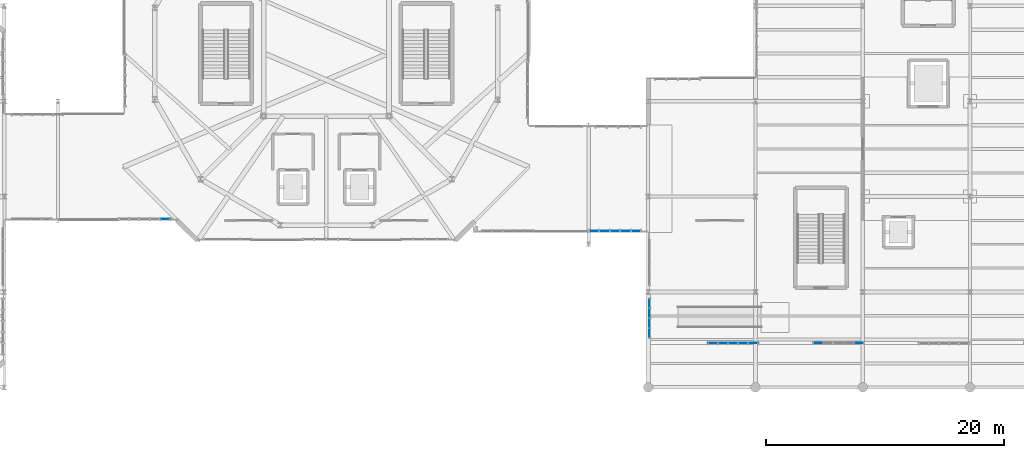
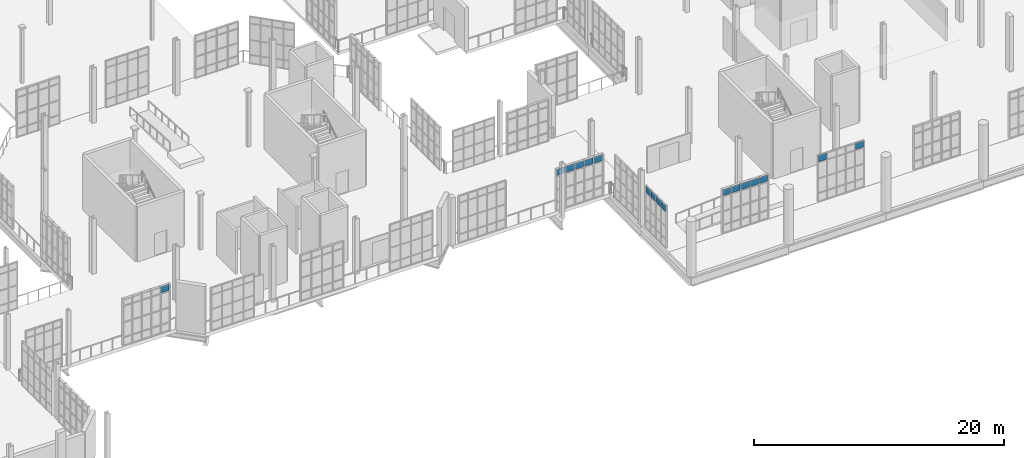
# One storey, part 167 of 189: 17 plates, 5 elements without a shape of their own.
"""IFC4 building model written with IfcOpenShell, lengths in metres."""

from ifc_helpers import new_model, si_unit, direction, frame, origin, origin_2d, place, context, subcontext, project, spatial, rectangle, extrude, material, layer, layer_set, type_object, element, aggregate, save


model = new_model("IFC4")

# Units and contexts
model_context = context("Model", 3, precision=1e-05, world=origin(), true_north=direction((0.0, 1.0)))
body_context = subcontext(model_context, "Body", "Model", "MODEL_VIEW")
ifc_project = project(units=[si_unit("LENGTHUNIT", "METRE"), si_unit("AREAUNIT", "SQUARE_METRE"), si_unit("VOLUMEUNIT", "CUBIC_METRE"), si_unit("PLANEANGLEUNIT", "RADIAN"), si_unit("MASSUNIT", "GRAM", prefix="KILO"), si_unit("THERMODYNAMICTEMPERATUREUNIT", "KELVIN"), si_unit("POWERUNIT", "WATT")], contexts=[model_context])

# Site, building, storey
site_placement = place(None, origin())
site = spatial("IfcSite", under=ifc_project, at=site_placement, CompositionType="ELEMENT")
building_placement = place(site_placement, origin())
building = spatial("IfcBuilding", under=site, at=building_placement, Name="Zelmaris Science Centre", CompositionType="ELEMENT")
storey_placement = place(building_placement, origin())
storey = spatial("IfcBuildingStorey", under=building, at=storey_placement, Name="L00", CompositionType="ELEMENT", Elevation=0.0)

# Curtain wall, plates
ifc_material_1 = material(Name="Anodised architectural aluminium 6063-T6", Category="aluminium")
ifc_layer_1 = layer(ifc_material_1, 0.18994140625, Name="Anodised architectural aluminium 6063-T6")
ifc_layer_set_1 = layer_set([ifc_layer_1], Name="Anodised architectural aluminium 6063-T6")
curtain_wall_type_1 = type_object("IfcCurtainWallType", Name="Curtain Wall CW-01", PredefinedType="USERDEFINED", material=ifc_layer_set_1)
curtain_wall_1_placement = place(storey_placement, origin())
curtain_wall_1 = element("IfcCurtainWall", 1, at=curtain_wall_1_placement, inside=storey, type_object=curtain_wall_type_1, Name="L00 Unitised curtain wall 109", ObjectType="GLAZED CURTAIN WALL", PredefinedType="USERDEFINED")
ifc_material_2 = material(Name="Laminated hurricane-rated low-E insulated glazing", Category="glass")
ifc_layer_2 = layer(ifc_material_2, 0.031982421875, Name="Laminated hurricane-rated low-E insulated glazing")
ifc_layer_set_2 = layer_set([ifc_layer_2], Name="Laminated hurricane-rated low-E insulated glazing")
plate_type_1 = type_object("IfcPlateType", Name="Curtain Glazing Panel CWP-1 32mm", PredefinedType="CURTAIN_PANEL", material=ifc_layer_set_2)
plate_1_placement = place(storey_placement, frame((116.8193359375, 11.72021484375, 3.6591796875), z_axis=(0.0, 0.0, 1.0), x_axis=(-1.0, 0.0, 0.0)))
plate_1 = element("IfcPlate", 2, at=plate_1_placement, type_object=plate_type_1, Name="CW-01 panel 1.4", PredefinedType="CURTAIN_PANEL", context=body_context, shape_type="SweptSolid", body=[
    extrude(rectangle(XDim=0.752685546875, YDim=0.031982421875, at=origin_2d()), origin(), (0.0, 0.0, 1.0), 0.592041015625),
])
plate_2_placement = place(storey_placement, frame((115.9765625, 11.72021484375, 3.6591796875), z_axis=(0.0, 0.0, 1.0), x_axis=(-1.0, 0.0, 0.0)))
plate_2 = element("IfcPlate", 3, at=plate_2_placement, type_object=plate_type_1, Name="CW-01 panel 2.4", PredefinedType="CURTAIN_PANEL", context=body_context, shape_type="SweptSolid", body=[
    extrude(rectangle(XDim=0.788818359375, YDim=0.031982421875, at=origin_2d()), origin(), (0.0, 0.0, 1.0), 0.592041015625),
])
plate_3_placement = place(storey_placement, frame((115.11572265625, 11.72021484375, 3.6591796875), z_axis=(0.0, 0.0, 1.0), x_axis=(-1.0, 0.0, 0.0)))
plate_3 = element("IfcPlate", 4, at=plate_3_placement, type_object=plate_type_1, Name="CW-01 panel 3.4", PredefinedType="CURTAIN_PANEL", context=body_context, shape_type="SweptSolid", body=[
    extrude(rectangle(XDim=0.788818359375, YDim=0.031982421875, at=origin_2d()), origin(), (0.0, 0.0, 1.0), 0.592041015625),
])
plate_4_placement = place(storey_placement, frame((114.2548828125, 11.72021484375, 3.6591796875), z_axis=(0.0, 0.0, 1.0), x_axis=(-1.0, 0.0, 0.0)))
plate_4 = element("IfcPlate", 5, at=plate_4_placement, type_object=plate_type_1, Name="CW-01 panel 4.4", PredefinedType="CURTAIN_PANEL", context=body_context, shape_type="SweptSolid", body=[
    extrude(rectangle(XDim=0.788818359375, YDim=0.031982421875, at=origin_2d()), origin(), (0.0, 0.0, 1.0), 0.592041015625),
])
plate_5_placement = place(storey_placement, frame((113.412109375, 11.72021484375, 3.6591796875), z_axis=(0.0, 0.0, 1.0), x_axis=(-1.0, 0.0, 0.0)))
plate_5 = element("IfcPlate", 6, at=plate_5_placement, type_object=plate_type_1, Name="CW-01 panel 5.4", PredefinedType="CURTAIN_PANEL", context=body_context, shape_type="SweptSolid", body=[
    extrude(rectangle(XDim=0.752685546875, YDim=0.031982421875, at=origin_2d()), origin(), (0.0, 0.0, 1.0), 0.592041015625),
])
aggregate(curtain_wall_1, [plate_1, plate_2, plate_3, plate_4, plate_5])

curtain_wall_2_placement = place(storey_placement, origin())
curtain_wall_2 = element("IfcCurtainWall", 7, at=curtain_wall_2_placement, inside=storey, type_object=curtain_wall_type_1, Name="L00 Unitised curtain wall 113", ObjectType="GLAZED CURTAIN WALL", PredefinedType="USERDEFINED")
plate_6_placement = place(storey_placement, frame((106.9560546875, 21.118896484375, 3.41015625), z_axis=(0.0, 0.0, 1.0), x_axis=(-0.999999995825, 9.1382612e-05, 0.0)))
plate_6 = element("IfcPlate", 8, at=plate_6_placement, type_object=plate_type_1, Name="CW-01 panel 1.4", PredefinedType="CURTAIN_PANEL", context=body_context, shape_type="SweptSolid", body=[
    extrude(rectangle(XDim=0.767333984375, YDim=0.031982421875, at=origin_2d()), origin(), (0.0, 0.0, 1.0), 0.592041015625),
])
plate_7_placement = place(storey_placement, frame((106.0986328125, 21.119140625, 3.41015625), z_axis=(0.0, 0.0, 1.0), x_axis=(-0.999999995825, 9.1382612e-05, 0.0)))
plate_7 = element("IfcPlate", 9, at=plate_7_placement, type_object=plate_type_1, Name="CW-01 panel 2.4", PredefinedType="CURTAIN_PANEL", context=body_context, shape_type="SweptSolid", body=[
    extrude(rectangle(XDim=0.803466796875, YDim=0.031982421875, at=origin_2d()), origin(), (0.0, 0.0, 1.0), 0.592041015625),
])
plate_8_placement = place(storey_placement, frame((105.22314453125, 21.119140625, 3.41015625), z_axis=(0.0, 0.0, 1.0), x_axis=(-0.999999995825, 9.1382612e-05, 0.0)))
plate_8 = element("IfcPlate", 10, at=plate_8_placement, type_object=plate_type_1, Name="CW-01 panel 3.4", PredefinedType="CURTAIN_PANEL", context=body_context, shape_type="SweptSolid", body=[
    extrude(rectangle(XDim=0.803466796875, YDim=0.031982421875, at=origin_2d()), origin(), (0.0, 0.0, 1.0), 0.592041015625),
])
plate_9_placement = place(storey_placement, frame((104.34765625, 21.119140625, 3.41015625), z_axis=(0.0, 0.0, 1.0), x_axis=(-0.999999995825, 9.1382612e-05, 0.0)))
plate_9 = element("IfcPlate", 11, at=plate_9_placement, type_object=plate_type_1, Name="CW-01 panel 4.4", PredefinedType="CURTAIN_PANEL", context=body_context, shape_type="SweptSolid", body=[
    extrude(rectangle(XDim=0.803466796875, YDim=0.031982421875, at=origin_2d()), origin(), (0.0, 0.0, 1.0), 0.592041015625),
])
plate_10_placement = place(storey_placement, frame((103.490234375, 21.119140625, 3.41015625), z_axis=(0.0, 0.0, 1.0), x_axis=(-0.999999995825, 9.1382612e-05, 0.0)))
plate_10 = element("IfcPlate", 12, at=plate_10_placement, type_object=plate_type_1, Name="CW-01 panel 5.4", PredefinedType="CURTAIN_PANEL", context=body_context, shape_type="SweptSolid", body=[
    extrude(rectangle(XDim=0.767333984375, YDim=0.031982421875, at=origin_2d()), origin(), (0.0, 0.0, 1.0), 0.592041015625),
])
aggregate(curtain_wall_2, [plate_6, plate_7, plate_8, plate_9, plate_10])

# Curtain wall, plate
curtain_wall_3_placement = place(storey_placement, origin())
curtain_wall_3 = element("IfcCurtainWall", 13, at=curtain_wall_3_placement, inside=storey, type_object=curtain_wall_type_1, Name="L00 Unitised curtain wall 121", ObjectType="GLAZED CURTAIN WALL", PredefinedType="USERDEFINED")
plate_11_placement = place(storey_placement, frame((67.48388671875, 22.11962890625, 3.93603515625), z_axis=(0.0, 0.0, 1.0), x_axis=(-0.999999999741, 2.2776442e-05, 0.0)))
plate_11 = element("IfcPlate", 14, at=plate_11_placement, type_object=plate_type_1, Name="CW-01 panel 1.4", PredefinedType="CURTAIN_PANEL", context=body_context, shape_type="SweptSolid", body=[
    extrude(rectangle(XDim=0.77001953125, YDim=0.031982421875, at=origin_2d()), origin(), (0.0, 0.0, 1.0), 0.592041015625),
])
aggregate(curtain_wall_3, [plate_11])

# Curtain wall, plates
ifc_layer_3 = layer(ifc_material_1, 0.2099609375, Name="Anodised architectural aluminium 6063-T6")
ifc_layer_set_3 = layer_set([ifc_layer_3], Name="Anodised architectural aluminium 6063-T6")
curtain_wall_type_2 = type_object("IfcCurtainWallType", Name="Curtain Wall CW-03", PredefinedType="USERDEFINED", material=ifc_layer_set_3)
curtain_wall_4_placement = place(storey_placement, origin())
curtain_wall_4 = element("IfcCurtainWall", 15, at=curtain_wall_4_placement, inside=storey, type_object=curtain_wall_type_2, Name="L00 Unitised curtain wall 107", ObjectType="GLAZED CURTAIN WALL", PredefinedType="USERDEFINED")
ifc_layer_4 = layer(ifc_material_2, 0.02587890625, Name="Laminated hurricane-rated low-E insulated glazing")
ifc_layer_set_4 = layer_set([ifc_layer_4], Name="Laminated hurricane-rated low-E insulated glazing")
plate_type_2 = type_object("IfcPlateType", Name="Curtain Glazing Panel CWP-3 26mm", PredefinedType="CURTAIN_PANEL", material=ifc_layer_set_4)
plate_12_placement = place(storey_placement, frame((125.67041015625, 11.72021484375, 3.86767578125), z_axis=(0.0, 0.0, 1.0), x_axis=(-1.0, 0.0, 0.0)))
plate_12 = element("IfcPlate", 16, at=plate_12_placement, type_object=plate_type_2, Name="CW-03 panel 1.4", PredefinedType="CURTAIN_PANEL", context=body_context, shape_type="SweptSolid", body=[
    extrude(rectangle(XDim=0.775146484375, YDim=0.02587890625, at=origin_2d()), origin(), (0.0, 0.0, 1.0), 0.614501953125),
])
plate_13_placement = place(storey_placement, frame((122.255859375, 11.72021484375, 3.86767578125), z_axis=(0.0, 0.0, 1.0), x_axis=(-1.0, 0.0, 0.0)))
plate_13 = element("IfcPlate", 17, at=plate_13_placement, type_object=plate_type_2, Name="CW-03 panel 5.4", PredefinedType="CURTAIN_PANEL", context=body_context, shape_type="SweptSolid", body=[
    extrude(rectangle(XDim=0.775146484375, YDim=0.02587890625, at=origin_2d()), origin(), (0.0, 0.0, 1.0), 0.614501953125),
])
aggregate(curtain_wall_4, [plate_12, plate_13])

curtain_wall_5_placement = place(storey_placement, origin())
curtain_wall_5 = element("IfcCurtainWall", 18, at=curtain_wall_5_placement, inside=storey, type_object=curtain_wall_type_2, Name="L00 Unitised curtain wall 111", ObjectType="GLAZED CURTAIN WALL", PredefinedType="USERDEFINED")
plate_14_placement = place(storey_placement, frame((108.1201171875, 12.5693359375, 3.4814453125), z_axis=(0.0, 0.0, 1.0), x_axis=(-3.0121381e-05, 0.999999999546, 0.0)))
plate_14 = element("IfcPlate", 19, at=plate_14_placement, type_object=plate_type_2, Name="CW-03 panel 1.4", PredefinedType="CURTAIN_PANEL", context=body_context, shape_type="SweptSolid", body=[
    extrude(rectangle(XDim=0.744384765625, YDim=0.02587890625, at=origin_2d()), origin(), (0.0, 0.0, 1.0), 0.614501953125),
])
plate_15_placement = place(storey_placement, frame((108.1201171875, 13.385009765625, 3.4814453125), z_axis=(0.0, 0.0, 1.0), x_axis=(-3.0121381e-05, 0.999999999546, 0.0)))
plate_15 = element("IfcPlate", 20, at=plate_15_placement, type_object=plate_type_2, Name="CW-03 panel 2.4", PredefinedType="CURTAIN_PANEL", context=body_context, shape_type="SweptSolid", body=[
    extrude(rectangle(XDim=0.77294921875, YDim=0.02587890625, at=origin_2d()), origin(), (0.0, 0.0, 1.0), 0.614501953125),
])
plate_16_placement = place(storey_placement, frame((108.1201171875, 14.215087890625, 3.4814453125), z_axis=(0.0, 0.0, 1.0), x_axis=(-3.0121381e-05, 0.999999999546, 0.0)))
plate_16 = element("IfcPlate", 21, at=plate_16_placement, type_object=plate_type_2, Name="CW-03 panel 3.4", PredefinedType="CURTAIN_PANEL", context=body_context, shape_type="SweptSolid", body=[
    extrude(rectangle(XDim=0.77294921875, YDim=0.02587890625, at=origin_2d()), origin(), (0.0, 0.0, 1.0), 0.614501953125),
])
plate_17_placement = place(storey_placement, frame((108.1201171875, 15.03076171875, 3.4814453125), z_axis=(0.0, 0.0, 1.0), x_axis=(-3.0121381e-05, 0.999999999546, 0.0)))
plate_17 = element("IfcPlate", 22, at=plate_17_placement, type_object=plate_type_2, Name="CW-03 panel 4.4", PredefinedType="CURTAIN_PANEL", context=body_context, shape_type="SweptSolid", body=[
    extrude(rectangle(XDim=0.744384765625, YDim=0.02587890625, at=origin_2d()), origin(), (0.0, 0.0, 1.0), 0.614501953125),
])
aggregate(curtain_wall_5, [plate_14, plate_15, plate_16, plate_17])

save(model, "model.ifc")
